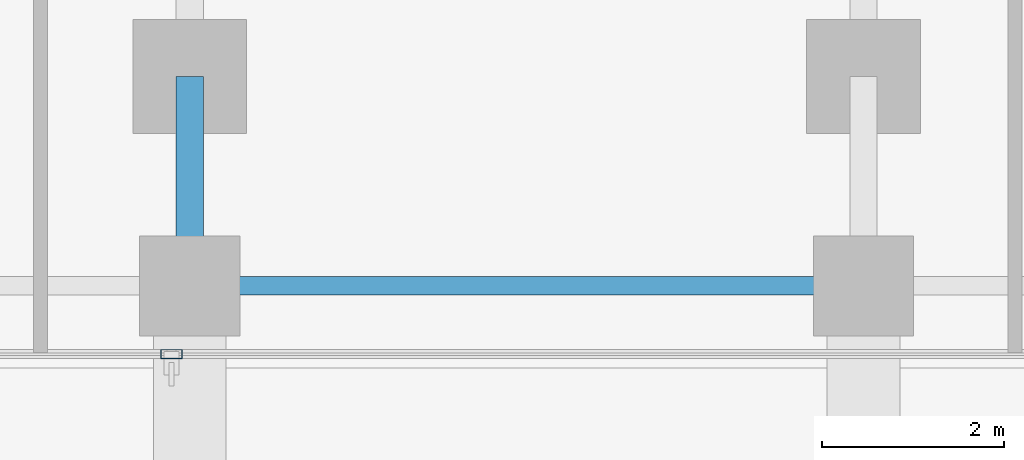
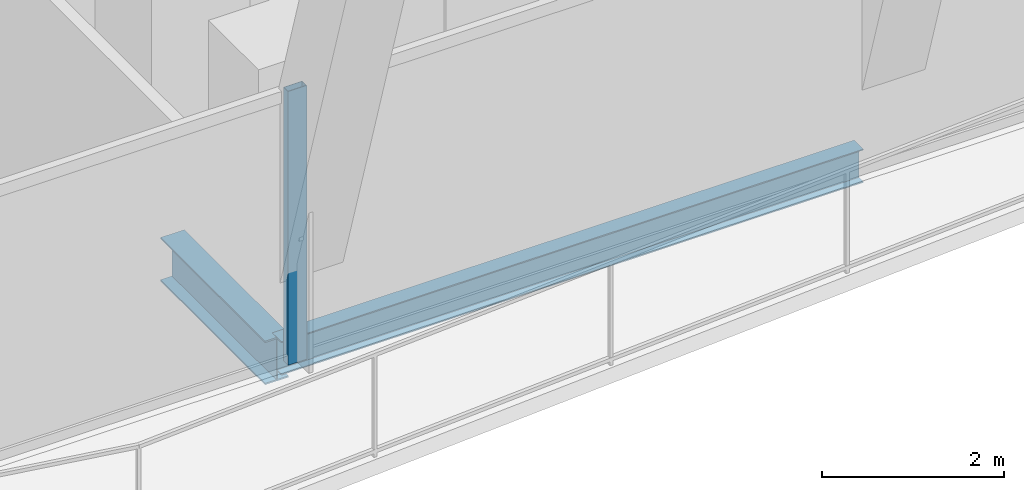
# One storey, part 4 of 30: 2 beams, 1 member, 1 element without a shape of its own.
"""IFC4 building model written with IfcOpenShell, lengths in metres."""

from ifc_helpers import new_model, si_unit, direction, frame, origin, origin_2d, place, context, subcontext, project, spatial, hollow_rectangle, i_section, extrude, material, layer, layer_set, material_profile, profile_set, type_object, element, aggregate, save


model = new_model("IFC4")

# Units and contexts
model_context = context("Model", 3, precision=1e-05, world=origin(), true_north=direction((0.0, 1.0)))
body_context = subcontext(model_context, "Body", "Model", "MODEL_VIEW")
ifc_project = project(units=[si_unit("LENGTHUNIT", "METRE"), si_unit("AREAUNIT", "SQUARE_METRE"), si_unit("VOLUMEUNIT", "CUBIC_METRE"), si_unit("PLANEANGLEUNIT", "RADIAN"), si_unit("MASSUNIT", "GRAM", prefix="KILO")], contexts=[model_context])

# Site, building, storey
site_placement = place(None, origin())
site = spatial("IfcSite", under=ifc_project, at=site_placement, CompositionType="ELEMENT")
building_placement = place(site_placement, origin())
building = spatial("IfcBuilding", under=site, at=building_placement, Name="Khorvyn Point Tower", CompositionType="ELEMENT")
storey_placement = place(building_placement, frame((0.0, 0.0, 117.300048828125)))
storey = spatial("IfcBuildingStorey", under=building, at=storey_placement, Name="L29", CompositionType="ELEMENT", Elevation=117.300048828125)

# Curtain wall, member
ifc_material_1 = material(Name="Anodised aluminium 6063-T6 and laminated Low-E glass", Category="aluminium")
ifc_layer = layer(ifc_material_1, 0.18994140625)
ifc_layer_set = layer_set([ifc_layer], Name="Stick-Built Acoustic Curtain Wall CW-SYS-03")
curtain_wall_type = type_object("IfcCurtainWallType", Name="Stick-Built Acoustic Curtain Wall CW-SYS-03", PredefinedType="NOTDEFINED", material=ifc_layer_set)
curtain_wall_placement = place(storey_placement, origin())
curtain_wall = element("IfcCurtainWall", 1, at=curtain_wall_placement, inside=storey, type_object=curtain_wall_type, Name="Curtain Wall", PredefinedType="NOTDEFINED")
ifc_material_2 = material(Name="Anodised aluminium 6063-T6", Category="aluminium")
ifc_material_profile_1 = material_profile(ifc_material_2, hollow_rectangle(XDim=0.10009765625, YDim=0.239990234375, WallThickness=0.0048828125, at=origin_2d()))
ifc_profile_set_1 = profile_set([ifc_material_profile_1], Name="Anodised aluminium 6063-T6 ALU-MUL-100x240")
member_type = type_object("IfcMemberType", Name="Anodised Aluminium 6063-T6 Mullion ALU-MUL-100x240", PredefinedType="MULLION", material=ifc_profile_set_1)
member_placement = place(storey_placement, frame((7.199462890625, -17.85009765625, 0.0), z_axis=(0.0, 0.0, 1.0), x_axis=(0.0, -1.0, 0.0)))
member = element("IfcMember", 2, at=member_placement, type_object=member_type, Name="Transom", PredefinedType="MULLION", context=body_context, shape_type="SweptSolid", body=[
    extrude(hollow_rectangle(XDim=0.10009765625, YDim=0.239990234375, WallThickness=0.0048828125, at=origin_2d()), origin(), (0.0, 0.0, 1.0), 3.679931640625),
])
aggregate(curtain_wall, [member])

# Beams
ifc_material_3 = material(Name="Steel S355", Category="steel")
ifc_material_profile_2 = material_profile(ifc_material_3, i_section(OverallWidth=0.300048828125, OverallDepth=0.587890625, WebThickness=0.011962890625, FlangeThickness=0.02001953125, at=origin_2d()))
ifc_profile_set_2 = profile_set([ifc_material_profile_2], Name="Steel S355 H588x300x12x20")
beam_type_1 = type_object("IfcBeamType", Name="Steel S355 Beam H588x300x12x20", PredefinedType="BEAM", material=ifc_profile_set_2)
beam_1_placement = place(storey_placement, frame((7.39990234375, -17.10009765625, -0.51416015625), z_axis=(0.0, 1.0, 0.0), x_axis=(-1.0, 0.0, 0.0)))
element("IfcBeam", 3, at=beam_1_placement, inside=storey, type_object=beam_type_1, Name="Beam", PredefinedType="BEAM", context=body_context, shape_type="SweptSolid", body=[
    extrude(i_section(OverallWidth=0.300048828125, OverallDepth=0.587890625, WebThickness=0.011962890625, FlangeThickness=0.02001953125, at=origin_2d()), origin(), (0.0, 0.0, 1.0), 2.300048828125),
])
ifc_material_profile_3 = material_profile(ifc_material_3, i_section(OverallWidth=0.199951171875, OverallDepth=0.449951171875, WebThickness=0.009033203125, FlangeThickness=0.013916015625, at=origin_2d()))
ifc_profile_set_3 = profile_set([ifc_material_profile_3], Name="Steel S355 H450x200x9x14")
beam_type_2 = type_object("IfcBeamType", Name="Steel S355 Spandrel H450x200x9x14", PredefinedType="SPANDREL", material=ifc_profile_set_3)
beam_2_placement = place(storey_placement, frame((7.39990234375, -17.10009765625, -0.445068359375), z_axis=(1.0, 0.0, 0.0), x_axis=(0.0, 1.0, 0.0)))
element("IfcBeam", 4, at=beam_2_placement, inside=storey, type_object=beam_type_2, Name="Beam", PredefinedType="SPANDREL", context=body_context, shape_type="SweptSolid", body=[
    extrude(i_section(OverallWidth=0.199951171875, OverallDepth=0.449951171875, WebThickness=0.009033203125, FlangeThickness=0.013916015625, at=origin_2d()), origin(), (0.0, 0.0, 1.0), 7.400146484375),
])

save(model, "model.ifc")
